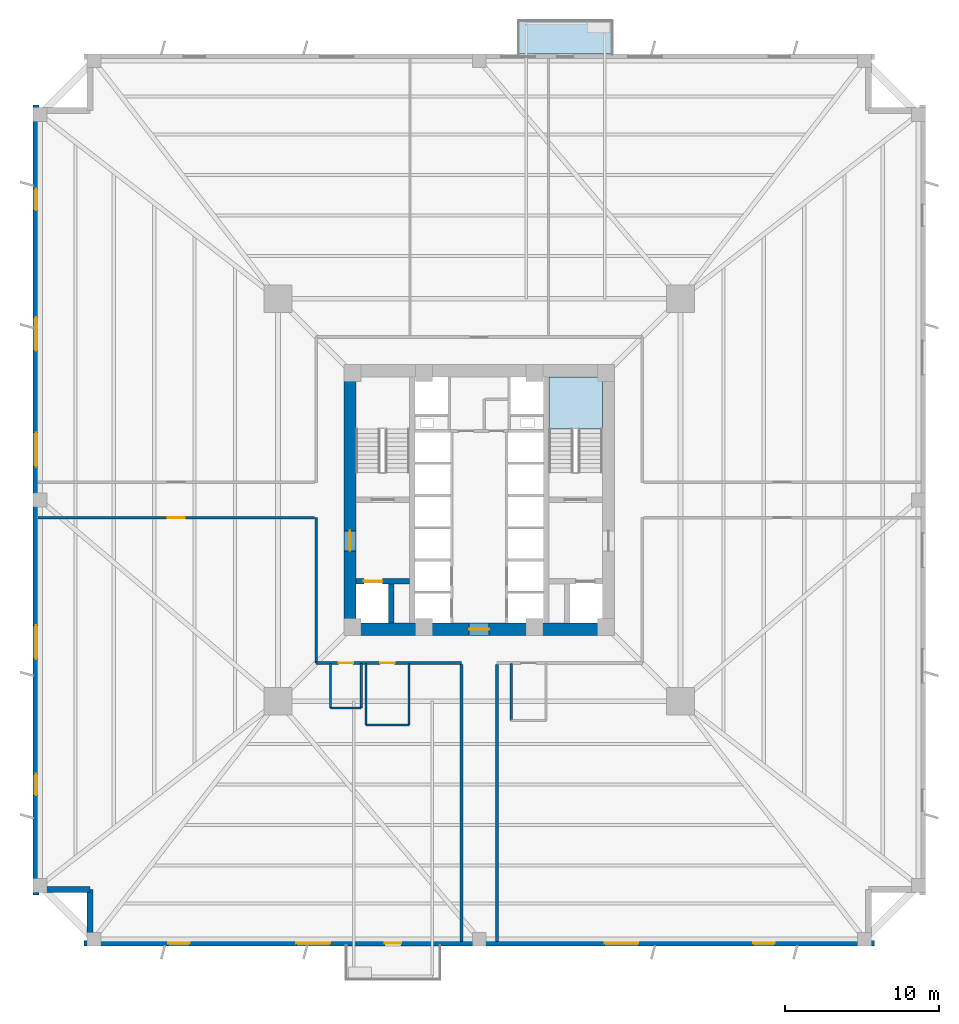
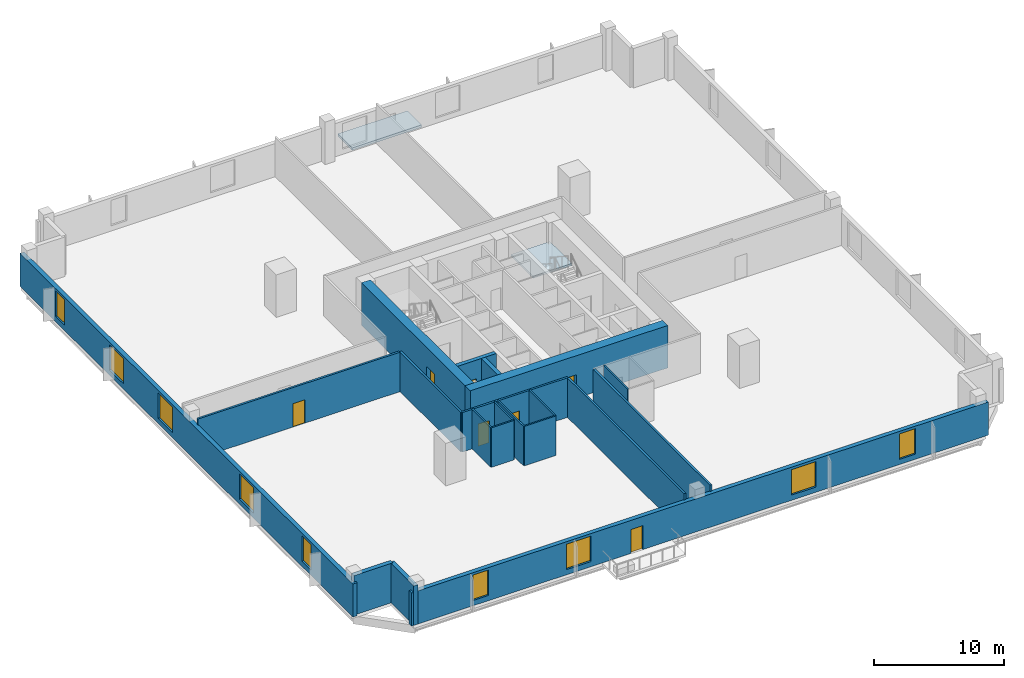
# One storey, part 2 of 8: 20 walls, 9 windows, 7 doors, 2 slabs, 16 openings, 1 element without a shape of its own.
"""IFC4 building model written with IfcOpenShell, lengths in metres."""

from ifc_helpers import new_model, si_unit, direction, frame, frame_2d, origin, place, context, subcontext, project, spatial, polyline, rectangle, outline, extrude, source, transform, mapped, material, layer, layer_set, type_object, element, fill, aggregate, save


model = new_model("IFC4")

# Units and contexts
model_context = context("Model", 3, precision=1e-05, world=origin(), true_north=direction((0.0, 1.0)))
body_context = subcontext(model_context, "Body", "Model", "MODEL_VIEW")
ifc_project = project(units=[si_unit("LENGTHUNIT", "METRE"), si_unit("AREAUNIT", "SQUARE_METRE"), si_unit("VOLUMEUNIT", "CUBIC_METRE"), si_unit("PLANEANGLEUNIT", "RADIAN"), si_unit("MASSUNIT", "GRAM", prefix="KILO"), si_unit("THERMODYNAMICTEMPERATUREUNIT", "KELVIN")], contexts=[model_context])

# Site, building, storey
site_placement = place(None, origin())
site = spatial("IfcSite", under=ifc_project, at=site_placement, CompositionType="ELEMENT")
building_placement = place(site_placement, origin())
building = spatial("IfcBuilding", under=site, at=building_placement, Name="Kosmvard Interchange Tower", CompositionType="ELEMENT")
storey_placement = place(building_placement, frame((0.0, 0.0, 30.0)))
storey = spatial("IfcBuildingStorey", under=building, at=storey_placement, Name="L06", CompositionType="ELEMENT", Elevation=30.0)

# Stair, slab
ifc_material_1 = material(Name="Concrete C50/60", Category="concrete")
stair_type = type_object("IfcStairType", Name="Dog-Leg Core Exit Stair H4000 C50/60", PredefinedType="HALF_TURN_STAIR", material=ifc_material_1)
stair_placement = place(storey_placement, origin())
stair = element("IfcStair", 1, at=stair_placement, inside=storey, type_object=stair_type, Name="L06 Protected Exit Stair ST-2", PredefinedType="HALF_TURN_STAIR")
ifc_layer_1 = layer(ifc_material_1, 0.199951171875, Name="Concrete C50/60")
ifc_layer_set_1 = layer_set([ifc_layer_1], Name="Concrete C50/60")
slab_type_1 = type_object("IfcSlabType", Name="Stair Half-Landing Slab 200 C50/60", PredefinedType="LANDING", material=ifc_layer_set_1)
slab_1_placement = place(storey_placement, frame((0.0, 0.0, 1.800048828125)))
slab_1 = element("IfcSlab", 2, at=slab_1_placement, type_object=slab_type_1, Name="ST-2 landing 1", PredefinedType="LANDING", context=body_context, shape_type="SweptSolid", body=[
    extrude(outline(polyline([(8.0, 4.60009765625), (8.0, 8.0), (4.5400390625, 8.0), (4.5400390625, 4.60009765625), (8.0, 4.60009765625)])), origin(), (0.0, 0.0, 1.0), 0.199951171875),
])
aggregate(stair, [slab_1])

# Slab
ifc_layer_2 = layer(ifc_material_1, 0.22998046875, Name="Concrete C50/60")
ifc_layer_set_2 = layer_set([ifc_layer_2], Name="Concrete C50/60")
slab_type_2 = type_object("IfcSlabType", Name="Tree-Planter Cantilever Balcony Slab 230 C50/60", PredefinedType="FLOOR", material=ifc_layer_set_2)
slab_2_placement = place(storey_placement, frame((0.0, 0.0, -0.22998046875)))
element("IfcSlab", 3, at=slab_2_placement, inside=storey, type_object=slab_type_2, Name="L06 Outdoor Terrace Balcony Slab BAL-L06-N", PredefinedType="FLOOR", context=body_context, shape_type="SweptSolid", body=[
    extrude(outline(polyline([(2.5, 29.0), (8.699951171875, 29.0), (8.699951171875, 31.199951171875), (2.5, 31.199951171875), (2.5, 29.0)])), origin(), (0.0, 0.0, 1.0), 0.22998046875),
])

# Wall, openings, doors
ifc_material_2 = material(Name="Fire-rated gypsum partition system")
ifc_layer_3 = layer(ifc_material_2, 0.179931640625, Name="Fire-rated gypsum partition system")
ifc_layer_set_3 = layer_set([ifc_layer_3], Name="Fire-rated gypsum partition system")
wall_type_1 = type_object("IfcWallType", Name="Corridor & Hotel Compartment Partition 180", PredefinedType="PARTITIONING", material=ifc_layer_set_3)
wall_1_placement = place(storey_placement, frame((-10.60009765625, -10.60009765625, 0.0), z_axis=(0.0, 0.0, 1.0), x_axis=(1.0, 0.0, 0.0)))
wall_1 = element("IfcWall", 4, at=wall_1_placement, inside=storey, type_object=wall_type_1, Name="L06 Corridor Wall CSW", PredefinedType="PARTITIONING", context=body_context, shape_type="SweptSolid", body=[
    extrude(rectangle(XDim=9.4501953125, YDim=0.179931640625, at=frame_2d((4.72509765625, 0.0))), origin(), (0.0, 0.0, 1.0), 3.719970703125),
])
opening_1_placement = place(wall_1_placement, frame((1.455078125, 0.0, 0.0)))
opening_1 = element("IfcOpeningElement", 5, at=opening_1_placement, cuts=wall_1, Name="Opening L06-D01", PredefinedType="OPENING", context=body_context, shape_type="SweptSolid", body=[
    extrude(rectangle(XDim=0.949951171875, YDim=2.10009765625, at=frame_2d((0.47509765625, 1.050048828125))), frame((0.0, 0.10009765625, 0.0), z_axis=(0.0, -1.0, 0.0), x_axis=(1.0, 0.0, 0.0)), (0.0, 0.0, 1.0), 0.199951171875),
])
opening_2_placement = place(wall_1_placement, frame((4.154052734375, 0.0, 0.0)))
opening_2 = element("IfcOpeningElement", 6, at=opening_2_placement, cuts=wall_1, Name="Opening L06-D03", PredefinedType="OPENING", context=body_context, shape_type="SweptSolid", body=[
    extrude(rectangle(XDim=0.949951171875, YDim=2.10009765625, at=frame_2d((0.47509765625, 1.050048828125))), frame((0.0, 0.10009765625, 0.0), z_axis=(0.0, -1.0, 0.0), x_axis=(1.0, 0.0, 0.0)), (0.0, 0.0, 1.0), 0.199951171875),
])
ifc_material_3 = material(Name="Laminated moisture-resistant timber", Category="wood")
door_type_1 = type_object("IfcDoorType", Name="Accessible Washroom Door 950x2100", OperationType="NOTDEFINED", PredefinedType="DOOR", material=ifc_material_3)
shared_shape_1 = source(origin(), body_context, "Body", "SweptSolid", [
    extrude(rectangle(XDim=0.949951171875, YDim=2.10009765625, at=frame_2d((0.47509765625, 1.050048828125))), frame((0.0, 0.02490234375, 0.0), z_axis=(0.0, -1.0, 0.0), x_axis=(1.0, 0.0, 0.0)), (0.0, 0.0, 1.0), 0.050048828125),
])
door_1_placement = place(opening_1_placement, frame((0.949951171875, 0.0, 0.0), z_axis=(0.0, 0.0, 1.0), x_axis=(-1.0, 0.0, 0.0)))
door_1 = element("IfcDoor", 7, at=door_1_placement, inside=storey, type_object=door_type_1, Name="L06 Accessible Toilet Door", OperationType="SINGLE_SWING_LEFT", OverallHeight=2.10009765625, OverallWidth=0.949951171875, PredefinedType="DOOR", context=body_context, shape_type="MappedRepresentation", body=[
    mapped(shared_shape_1, transform((0.0, 0.0, 0.0), scale=1.0)),
])
fill(opening_1, door_1)
door_2_placement = place(opening_2_placement, frame((0.949951171875, 0.0, 0.0), z_axis=(0.0, 0.0, 1.0), x_axis=(-1.0, 0.0, 0.0)))
door_2 = element("IfcDoor", 8, at=door_2_placement, inside=storey, type_object=door_type_1, Name="L06 Staff Catering Pantry Door", OperationType="SINGLE_SWING_LEFT", OverallHeight=2.10009765625, OverallWidth=0.949951171875, PredefinedType="DOOR", context=body_context, shape_type="MappedRepresentation", body=[
    mapped(shared_shape_1, transform((0.0, 0.0, 0.0), scale=1.0)),
])
fill(opening_2, door_2)

# Wall
wall_2_placement = place(storey_placement, frame((-10.60009765625, -10.60009765625, 0.0), z_axis=(0.0, 0.0, 1.0), x_axis=(0.0, 1.0, 0.0)))
element("IfcWall", 9, at=wall_2_placement, inside=storey, type_object=wall_type_1, Name="L06 Corridor Wall CWS", PredefinedType="PARTITIONING", context=body_context, shape_type="SweptSolid", body=[
    extrude(rectangle(XDim=9.4501953125, YDim=0.179931640625, at=frame_2d((4.72509765625, 0.0))), origin(), (0.0, 0.0, 1.0), 3.719970703125),
])

# Wall, opening, door
wall_3_placement = place(storey_placement, frame((-28.68505859375, -1.14990234375, 0.0), z_axis=(0.0, 0.0, 1.0), x_axis=(1.0, 0.0, 0.0)))
wall_3 = element("IfcWall", 10, at=wall_3_placement, inside=storey, type_object=wall_type_1, Name="L06 Corridor Wall SWS", PredefinedType="PARTITIONING", context=body_context, shape_type="SweptSolid", body=[
    extrude(rectangle(XDim=17.985107421875, YDim=0.179931640625, at=frame_2d((8.99267578125, 0.0))), origin(), (0.0, 0.0, 1.0), 3.719970703125),
])
opening_3_placement = place(wall_3_placement, frame((8.4423828125, 0.0, 0.0)))
opening_3 = element("IfcOpeningElement", 11, at=opening_3_placement, cuts=wall_3, Name="Opening L06-D08", PredefinedType="OPENING", context=body_context, shape_type="SweptSolid", body=[
    extrude(rectangle(XDim=1.10009765625, YDim=2.199951171875, at=frame_2d((0.550048828125, 1.10009765625))), frame((0.0, 0.10009765625, 0.0), z_axis=(0.0, -1.0, 0.0), x_axis=(1.0, 0.0, 0.0)), (0.0, 0.0, 1.0), 0.199951171875),
])
ifc_material_4 = material(Name="Engineered oak fire-rated timber", Category="wood")
door_type_2 = type_object("IfcDoorType", Name="Office Suite Entrance Door 1100x2200 FD30S", OperationType="NOTDEFINED", PredefinedType="DOOR", material=ifc_material_4)
shared_shape_2 = source(origin(), body_context, "Body", "SweptSolid", [
    extrude(rectangle(XDim=1.10009765625, YDim=2.199951171875, at=frame_2d((0.550048828125, 1.10009765625))), frame((0.0, 0.02490234375, 0.0), z_axis=(0.0, -1.0, 0.0), x_axis=(1.0, 0.0, 0.0)), (0.0, 0.0, 1.0), 0.050048828125),
])
door_3_placement = place(opening_3_placement, frame((1.10009765625, 0.0, 0.0), z_axis=(0.0, 0.0, 1.0), x_axis=(-1.0, 0.0, 0.0)))
door_3 = element("IfcDoor", 12, at=door_3_placement, inside=storey, type_object=door_type_2, Name="L06 South-West Open Plan Workplace Door", OperationType="SINGLE_SWING_RIGHT", OverallHeight=2.199951171875, OverallWidth=1.10009765625, PredefinedType="DOOR", context=body_context, shape_type="MappedRepresentation", body=[
    mapped(shared_shape_2, transform((0.0, 0.0, 0.0), scale=1.0)),
])
fill(opening_3, door_3)

# Walls
for number, where, z_axis, x_axis, name in (
    (13, (-1.14990234375, -28.68505859375, 0.0), (0.0, 0.0, 1.0), (0.0, 1.0, 0.0), "L06 Corridor Wall SSW"),
    (14, (1.14990234375, -28.68505859375, 0.0), (0.0, 0.0, 1.0), (0.0, 1.0, 0.0), "L06 Corridor Wall SSE"),
):
    element("IfcWall", number, at=place(storey_placement, frame(where, z_axis=z_axis, x_axis=x_axis)), inside=storey, type_object=wall_type_1, Name=name, PredefinedType="PARTITIONING", context=body_context, shape_type="SweptSolid", body=[
        extrude(rectangle(XDim=17.985107421875, YDim=0.179931640625, at=frame_2d((8.99267578125, 0.0))), origin(), (0.0, 0.0, 1.0), 3.719970703125),
    ])

# Wall, opening, door
ifc_material_5 = material(Name="Concrete C80/95", Category="concrete")
ifc_layer_4 = layer(ifc_material_5, 0.800048828125, Name="Concrete C80/95")
ifc_layer_set_4 = layer_set([ifc_layer_4], Name="Concrete C80/95")
wall_type_2 = type_object("IfcWallType", Name="Lower Core Shear Wall 800 C80/95", PredefinedType="SHEAR", material=ifc_layer_set_4)
wall_4_placement = place(storey_placement, frame((-8.800048828125, -8.39990234375, 0.0), z_axis=(0.0, 0.0, 1.0), x_axis=(1.0, 0.0, 0.0)))
wall_4 = element("IfcWall", 15, at=wall_4_placement, inside=storey, type_object=wall_type_2, Name="L06 Core Shear Wall CW-S", PredefinedType="SHEAR", context=body_context, shape_type="SweptSolid", body=[
    extrude(rectangle(XDim=17.60009765625, YDim=0.800048828125, at=frame_2d((8.800048828125, 0.0))), origin(), (0.0, 0.0, 1.0), 4.0),
])
opening_4_placement = place(wall_4_placement, frame((8.14990234375, 0.0, 0.0)))
opening_4 = element("IfcOpeningElement", 16, at=opening_4_placement, cuts=wall_4, Name="Opening L06-LD0", PredefinedType="OPENING", context=body_context, shape_type="SweptSolid", body=[
    extrude(rectangle(XDim=1.300048828125, YDim=2.199951171875, at=frame_2d((0.64990234375, 1.10009765625))), frame((0.0, 0.41015625, 0.0), z_axis=(0.0, -1.0, 0.0), x_axis=(1.0, 0.0, 0.0)), (0.0, 0.0, 1.0), 0.820068359375),
])
ifc_material_6 = material(Name="Painted fire-rated steel leaf", Category="steel")
door_type_3 = type_object("IfcDoorType", Name="Firefighting Lobby Door 1300x2200 EI60", OperationType="NOTDEFINED", PredefinedType="DOOR", material=ifc_material_6)
shared_shape_3 = source(origin(), body_context, "Body", "SweptSolid", [
    extrude(rectangle(XDim=1.300048828125, YDim=2.199951171875, at=frame_2d((0.64990234375, 1.10009765625))), frame((0.0, 0.02490234375, 0.0), z_axis=(0.0, -1.0, 0.0), x_axis=(1.0, 0.0, 0.0)), (0.0, 0.0, 1.0), 0.050048828125),
])
door_4_placement = place(opening_4_placement, frame((1.300048828125, 0.0, 0.0), z_axis=(0.0, 0.0, 1.0), x_axis=(-1.0, 0.0, 0.0)))
door_4 = element("IfcDoor", 17, at=door_4_placement, inside=storey, type_object=door_type_3, Name="L06 Passenger Lift Lobby South Door", OperationType="SINGLE_SWING_RIGHT", OverallHeight=2.199951171875, OverallWidth=1.300048828125, PredefinedType="DOOR", context=body_context, shape_type="MappedRepresentation", body=[
    mapped(shared_shape_3, transform((0.0, 0.0, 0.0), scale=1.0)),
])
fill(opening_4, door_4)

wall_5_placement = place(storey_placement, frame((-8.39990234375, -8.0, 0.0), z_axis=(0.0, 0.0, 1.0), x_axis=(0.0, 1.0, 0.0)))
wall_5 = element("IfcWall", 18, at=wall_5_placement, inside=storey, type_object=wall_type_2, Name="L06 Core Shear Wall CW-W", PredefinedType="SHEAR", context=body_context, shape_type="SweptSolid", body=[
    extrude(rectangle(XDim=16.0, YDim=0.800048828125, at=frame_2d((8.0, 0.0))), origin(), (0.0, 0.0, 1.0), 4.0),
])
opening_5_placement = place(wall_5_placement, frame((4.68994140625, 0.0, 0.0)))
opening_5 = element("IfcOpeningElement", 19, at=opening_5_placement, cuts=wall_5, Name="Opening L06-FD1", PredefinedType="OPENING", context=body_context, shape_type="SweptSolid", body=[
    extrude(rectangle(XDim=1.300048828125, YDim=2.199951171875, at=frame_2d((0.64990234375, 1.10009765625))), frame((0.0, 0.41015625, 0.0), z_axis=(0.0, -1.0, 0.0), x_axis=(1.0, 0.0, 0.0)), (0.0, 0.0, 1.0), 0.820068359375),
])
door_5_placement = place(opening_5_placement, frame((1.300048828125, 0.0, 0.0), z_axis=(0.0, 0.0, 1.0), x_axis=(-1.0, 0.0, 0.0)))
door_5 = element("IfcDoor", 20, at=door_5_placement, inside=storey, type_object=door_type_3, Name="L06 Firefighting Lobby West Door", OperationType="SINGLE_SWING_LEFT", OverallHeight=2.199951171875, OverallWidth=1.300048828125, PredefinedType="DOOR", context=body_context, shape_type="MappedRepresentation", body=[
    mapped(shared_shape_3, transform((0.0, 0.0, 0.0), scale=1.0)),
])
fill(opening_5, door_5)

# Wall, openings, door, windows
ifc_material_7 = material(Name="Precast concrete C45/55", Category="concrete")
ifc_layer_5 = layer(ifc_material_7, 0.3798828125, Name="Precast concrete C45/55")
ifc_layer_set_5 = layer_set([ifc_layer_5], Name="Precast concrete C45/55")
wall_type_3 = type_object("IfcWallType", Name="Lower Tower Precast Pier Wall 380 C45/55", PredefinedType="STANDARD", material=ifc_layer_set_5)
wall_6_placement = place(storey_placement, frame((-25.68994140625, -28.81005859375, 0.0), z_axis=(0.0, 0.0, 1.0), x_axis=(1.0, 0.0, 0.0)))
wall_6 = element("IfcWall", 21, at=wall_6_placement, inside=storey, type_object=wall_type_3, Name="L06 Precast Facade Wall F-S", PredefinedType="STANDARD", context=body_context, shape_type="SweptSolid", body=[
    extrude(rectangle(XDim=51.3798828125, YDim=0.3798828125, at=frame_2d((25.68994140625, 0.0))), origin(), (0.0, 0.0, 1.0), 3.1201171875),
])
opening_6_placement = place(wall_6_placement, frame((19.56494140625, 0.0, 0.0)))
opening_6 = element("IfcOpeningElement", 22, at=opening_6_placement, cuts=wall_6, Name="Opening L06-BDS", PredefinedType="OPENING", context=body_context, shape_type="SweptSolid", body=[
    extrude(rectangle(XDim=1.050048828125, YDim=2.25, at=frame_2d((0.52490234375, 1.125))), frame((0.0, 0.199951171875, 0.0), z_axis=(0.0, -1.0, 0.0), x_axis=(1.0, 0.0, 0.0)), (0.0, 0.0, 1.0), 0.39990234375),
])
opening_7_placement = place(wall_6_placement, frame((5.465576171875, 0.0, 0.489990234375)))
opening_7 = element("IfcOpeningElement", 23, at=opening_7_placement, cuts=wall_6, Name="Opening L06-W01", PredefinedType="OPENING", context=body_context, shape_type="SweptSolid", body=[
    extrude(rectangle(XDim=1.39990234375, YDim=2.39990234375, at=frame_2d((0.699951171875, 1.199951171875))), frame((0.0, 0.199951171875, 0.0), z_axis=(0.0, -1.0, 0.0), x_axis=(1.0, 0.0, 0.0)), (0.0, 0.0, 1.0), 0.39990234375),
])
opening_8_placement = place(wall_6_placement, frame((13.80029296875, 0.0, 0.489990234375)))
opening_8 = element("IfcOpeningElement", 24, at=opening_8_placement, cuts=wall_6, Name="Opening L06-W02", PredefinedType="OPENING", context=body_context, shape_type="SweptSolid", body=[
    extrude(rectangle(XDim=2.199951171875, YDim=2.39990234375, at=frame_2d((1.10009765625, 1.199951171875))), frame((0.0, 0.199951171875, 0.0), z_axis=(0.0, -1.0, 0.0), x_axis=(1.0, 0.0, 0.0)), (0.0, 0.0, 1.0), 0.39990234375),
])
opening_9_placement = place(wall_6_placement, frame((33.83837890625, 0.0, 0.489990234375)))
opening_9 = element("IfcOpeningElement", 25, at=opening_9_placement, cuts=wall_6, Name="Opening L06-W03", PredefinedType="OPENING", context=body_context, shape_type="SweptSolid", body=[
    extrude(rectangle(XDim=2.199951171875, YDim=2.39990234375, at=frame_2d((1.10009765625, 1.199951171875))), frame((0.0, 0.199951171875, 0.0), z_axis=(0.0, -1.0, 0.0), x_axis=(1.0, 0.0, 0.0)), (0.0, 0.0, 1.0), 0.39990234375),
])
opening_10_placement = place(wall_6_placement, frame((43.48681640625, 0.0, 0.489990234375)))
opening_10 = element("IfcOpeningElement", 26, at=opening_10_placement, cuts=wall_6, Name="Opening L06-W04", PredefinedType="OPENING", context=body_context, shape_type="SweptSolid", body=[
    extrude(rectangle(XDim=1.39990234375, YDim=2.39990234375, at=frame_2d((0.699951171875, 1.199951171875))), frame((0.0, 0.199951171875, 0.0), z_axis=(0.0, -1.0, 0.0), x_axis=(1.0, 0.0, 0.0)), (0.0, 0.0, 1.0), 0.39990234375),
])
ifc_material_8 = material(Name="Anodised aluminium and safety glass", Category="aluminium")
door_type_4 = type_object("IfcDoorType", Name="Tree-Balcony Glazed Door 1050x2250", OperationType="NOTDEFINED", PredefinedType="DOOR", material=ifc_material_8)
shared_shape_4 = source(origin(), body_context, "Body", "SweptSolid", [
    extrude(rectangle(XDim=1.050048828125, YDim=2.25, at=frame_2d((0.52490234375, 1.125))), frame((0.0, 0.02490234375, 0.0), z_axis=(0.0, -1.0, 0.0), x_axis=(1.0, 0.0, 0.0)), (0.0, 0.0, 1.0), 0.050048828125),
])
door_6_placement = place(opening_6_placement, origin())
door_6 = element("IfcDoor", 27, at=door_6_placement, inside=storey, type_object=door_type_4, Name="L06 Tree-Balcony Door BAL-L06-S", OperationType="SINGLE_SWING_LEFT", OverallHeight=2.25, OverallWidth=1.050048828125, PredefinedType="DOOR", context=body_context, shape_type="MappedRepresentation", body=[
    mapped(shared_shape_4, transform((0.0, 0.0, 0.0), scale=1.0)),
])
fill(opening_6, door_6)
ifc_material_9 = material(Name="Low-E solar-control double glazing", Category="glass")
window_type_1 = type_object("IfcWindowType", Name="Notched Corner Feature Window 1400x2400", PartitioningType="SINGLE_PANEL", PredefinedType="WINDOW", material=ifc_material_9)
shared_shape_5 = source(origin(), body_context, "Body", "SweptSolid", [
    extrude(rectangle(XDim=1.39990234375, YDim=2.39990234375, at=frame_2d((0.699951171875, 1.199951171875))), frame((0.0, 0.030029296875, 0.0), z_axis=(0.0, -1.0, 0.0), x_axis=(1.0, 0.0, 0.0)), (0.0, 0.0, 1.0), 0.06005859375),
])
window_1_placement = place(opening_7_placement, origin())
window_1 = element("IfcWindow", 28, at=window_1_placement, inside=storey, type_object=window_type_1, Name="L06 Facade Punched Window 01", OverallHeight=2.39990234375, OverallWidth=1.39990234375, PartitioningType="SINGLE_PANEL", PredefinedType="WINDOW", context=body_context, shape_type="MappedRepresentation", body=[
    mapped(shared_shape_5, transform((0.0, 0.0, 0.0), scale=1.0)),
])
fill(opening_7, window_1)
window_2_placement = place(opening_10_placement, origin())
window_2 = element("IfcWindow", 29, at=window_2_placement, inside=storey, type_object=window_type_1, Name="L06 Facade Punched Window 04", OverallHeight=2.39990234375, OverallWidth=1.39990234375, PartitioningType="SINGLE_PANEL", PredefinedType="WINDOW", context=body_context, shape_type="MappedRepresentation", body=[
    mapped(shared_shape_5, transform((0.0, 0.0, 0.0), scale=1.0)),
])
fill(opening_10, window_2)
window_type_2 = type_object("IfcWindowType", Name="Zone 1 Office Punched Window 2200x2400", PartitioningType="SINGLE_PANEL", PredefinedType="WINDOW", material=ifc_material_9)
shared_shape_6 = source(origin(), body_context, "Body", "SweptSolid", [
    extrude(rectangle(XDim=2.199951171875, YDim=2.39990234375, at=frame_2d((1.10009765625, 1.199951171875))), frame((0.0, 0.030029296875, 0.0), z_axis=(0.0, -1.0, 0.0), x_axis=(1.0, 0.0, 0.0)), (0.0, 0.0, 1.0), 0.06005859375),
])
window_3_placement = place(opening_8_placement, origin())
window_3 = element("IfcWindow", 30, at=window_3_placement, inside=storey, type_object=window_type_2, Name="L06 Facade Punched Window 02", OverallHeight=2.39990234375, OverallWidth=2.199951171875, PartitioningType="SINGLE_PANEL", PredefinedType="WINDOW", context=body_context, shape_type="MappedRepresentation", body=[
    mapped(shared_shape_6, transform((0.0, 0.0, 0.0), scale=1.0)),
])
fill(opening_8, window_3)
window_4_placement = place(opening_9_placement, origin())
window_4 = element("IfcWindow", 31, at=window_4_placement, inside=storey, type_object=window_type_2, Name="L06 Facade Punched Window 03", OverallHeight=2.39990234375, OverallWidth=2.199951171875, PartitioningType="SINGLE_PANEL", PredefinedType="WINDOW", context=body_context, shape_type="MappedRepresentation", body=[
    mapped(shared_shape_6, transform((0.0, 0.0, 0.0), scale=1.0)),
])
fill(opening_9, window_4)

# Wall, openings, windows
wall_7_placement = place(storey_placement, frame((-28.81005859375, 25.68994140625, 0.0), z_axis=(0.0, 0.0, 1.0), x_axis=(0.0, -1.0, 0.0)))
wall_7 = element("IfcWall", 32, at=wall_7_placement, inside=storey, type_object=wall_type_3, Name="L06 Precast Facade Wall F-W", PredefinedType="STANDARD", context=body_context, shape_type="SweptSolid", body=[
    extrude(rectangle(XDim=51.3798828125, YDim=0.3798828125, at=frame_2d((25.68994140625, 0.0))), origin(), (0.0, 0.0, 1.0), 3.1201171875),
])
opening_11_placement = place(wall_7_placement, frame((5.465576171875, 0.0, 0.489990234375)))
opening_11 = element("IfcOpeningElement", 33, at=opening_11_placement, cuts=wall_7, Name="Opening L06-W15", PredefinedType="OPENING", context=body_context, shape_type="SweptSolid", body=[
    extrude(rectangle(XDim=1.39990234375, YDim=2.39990234375, at=frame_2d((0.699951171875, 1.199951171875))), frame((0.0, 0.199951171875, 0.0), z_axis=(0.0, -1.0, 0.0), x_axis=(1.0, 0.0, 0.0)), (0.0, 0.0, 1.0), 0.39990234375),
])
opening_12_placement = place(wall_7_placement, frame((13.80029296875, 0.0, 0.489990234375)))
opening_12 = element("IfcOpeningElement", 34, at=opening_12_placement, cuts=wall_7, Name="Opening L06-W16", PredefinedType="OPENING", context=body_context, shape_type="SweptSolid", body=[
    extrude(rectangle(XDim=2.199951171875, YDim=2.39990234375, at=frame_2d((1.10009765625, 1.199951171875))), frame((0.0, 0.199951171875, 0.0), z_axis=(0.0, -1.0, 0.0), x_axis=(1.0, 0.0, 0.0)), (0.0, 0.0, 1.0), 0.39990234375),
])
opening_13_placement = place(wall_7_placement, frame((21.3125, 0.0, 0.489990234375)))
opening_13 = element("IfcOpeningElement", 35, at=opening_13_placement, cuts=wall_7, Name="Opening L06-W17", PredefinedType="OPENING", context=body_context, shape_type="SweptSolid", body=[
    extrude(rectangle(XDim=2.199951171875, YDim=2.39990234375, at=frame_2d((1.10009765625, 1.199951171875))), frame((0.0, 0.199951171875, 0.0), z_axis=(0.0, -1.0, 0.0), x_axis=(1.0, 0.0, 0.0)), (0.0, 0.0, 1.0), 0.39990234375),
])
opening_14_placement = place(wall_7_placement, frame((33.83837890625, 0.0, 0.489990234375)))
opening_14 = element("IfcOpeningElement", 36, at=opening_14_placement, cuts=wall_7, Name="Opening L06-W18", PredefinedType="OPENING", context=body_context, shape_type="SweptSolid", body=[
    extrude(rectangle(XDim=2.199951171875, YDim=2.39990234375, at=frame_2d((1.10009765625, 1.199951171875))), frame((0.0, 0.199951171875, 0.0), z_axis=(0.0, -1.0, 0.0), x_axis=(1.0, 0.0, 0.0)), (0.0, 0.0, 1.0), 0.39990234375),
])
opening_15_placement = place(wall_7_placement, frame((43.48681640625, 0.0, 0.489990234375)))
opening_15 = element("IfcOpeningElement", 37, at=opening_15_placement, cuts=wall_7, Name="Opening L06-W19", PredefinedType="OPENING", context=body_context, shape_type="SweptSolid", body=[
    extrude(rectangle(XDim=1.39990234375, YDim=2.39990234375, at=frame_2d((0.699951171875, 1.199951171875))), frame((0.0, 0.199951171875, 0.0), z_axis=(0.0, -1.0, 0.0), x_axis=(1.0, 0.0, 0.0)), (0.0, 0.0, 1.0), 0.39990234375),
])
window_5_placement = place(opening_11_placement, origin())
window_5 = element("IfcWindow", 38, at=window_5_placement, inside=storey, type_object=window_type_1, Name="L06 Facade Punched Window 15", OverallHeight=2.39990234375, OverallWidth=1.39990234375, PartitioningType="SINGLE_PANEL", PredefinedType="WINDOW", context=body_context, shape_type="MappedRepresentation", body=[
    mapped(shared_shape_5, transform((0.0, 0.0, 0.0), scale=1.0)),
])
fill(opening_11, window_5)
window_6_placement = place(opening_15_placement, origin())
window_6 = element("IfcWindow", 39, at=window_6_placement, inside=storey, type_object=window_type_1, Name="L06 Facade Punched Window 19", OverallHeight=2.39990234375, OverallWidth=1.39990234375, PartitioningType="SINGLE_PANEL", PredefinedType="WINDOW", context=body_context, shape_type="MappedRepresentation", body=[
    mapped(shared_shape_5, transform((0.0, 0.0, 0.0), scale=1.0)),
])
fill(opening_15, window_6)
window_7_placement = place(opening_12_placement, origin())
window_7 = element("IfcWindow", 40, at=window_7_placement, inside=storey, type_object=window_type_2, Name="L06 Facade Punched Window 16", OverallHeight=2.39990234375, OverallWidth=2.199951171875, PartitioningType="SINGLE_PANEL", PredefinedType="WINDOW", context=body_context, shape_type="MappedRepresentation", body=[
    mapped(shared_shape_6, transform((0.0, 0.0, 0.0), scale=1.0)),
])
fill(opening_12, window_7)
window_8_placement = place(opening_13_placement, origin())
window_8 = element("IfcWindow", 41, at=window_8_placement, inside=storey, type_object=window_type_2, Name="L06 Facade Punched Window 17", OverallHeight=2.39990234375, OverallWidth=2.199951171875, PartitioningType="SINGLE_PANEL", PredefinedType="WINDOW", context=body_context, shape_type="MappedRepresentation", body=[
    mapped(shared_shape_6, transform((0.0, 0.0, 0.0), scale=1.0)),
])
fill(opening_13, window_8)
window_9_placement = place(opening_14_placement, origin())
window_9 = element("IfcWindow", 42, at=window_9_placement, inside=storey, type_object=window_type_2, Name="L06 Facade Punched Window 18", OverallHeight=2.39990234375, OverallWidth=2.199951171875, PartitioningType="SINGLE_PANEL", PredefinedType="WINDOW", context=body_context, shape_type="MappedRepresentation", body=[
    mapped(shared_shape_6, transform((0.0, 0.0, 0.0), scale=1.0)),
])
fill(opening_14, window_9)

# Walls
wall_8_placement = place(storey_placement, frame((-28.81005859375, -25.31005859375, 0.0), z_axis=(0.0, 0.0, 1.0), x_axis=(1.0, 0.0, 0.0)))
element("IfcWall", 43, at=wall_8_placement, inside=storey, type_object=wall_type_3, Name="L06 Precast Facade Wall N-SW1", PredefinedType="STANDARD", context=body_context, shape_type="SweptSolid", body=[
    extrude(rectangle(XDim=3.5, YDim=0.3798828125, at=frame_2d((1.75, 0.0))), origin(), (0.0, 0.0, 1.0), 3.719970703125),
])
wall_9_placement = place(storey_placement, frame((-25.31005859375, -25.31005859375, 0.0), z_axis=(0.0, 0.0, 1.0), x_axis=(0.0, -1.0, 0.0)))
element("IfcWall", 44, at=wall_9_placement, inside=storey, type_object=wall_type_3, Name="L06 Precast Facade Wall N-SW2", PredefinedType="STANDARD", context=body_context, shape_type="SweptSolid", body=[
    extrude(rectangle(XDim=3.68994140625, YDim=0.3798828125, at=frame_2d((1.844970703125, 0.0))), origin(), (0.0, 0.0, 1.0), 3.719970703125),
])

# Wall, opening, door
ifc_material_10 = material(Name="Concrete C60/75", Category="concrete")
ifc_layer_6 = layer(ifc_material_10, 0.360107421875, Name="Concrete C60/75")
ifc_layer_set_6 = layer_set([ifc_layer_6], Name="Concrete C60/75")
wall_type_4 = type_object("IfcWallType", Name="Stair & Lift Shaft Shear Wall 360 C60/75", PredefinedType="SHEAR", material=ifc_layer_set_6)
wall_10_placement = place(storey_placement, frame((-8.0, -5.280029296875, 0.0), z_axis=(0.0, 0.0, 1.0), x_axis=(1.0, 0.0, 0.0)))
wall_10 = element("IfcWall", 45, at=wall_10_placement, inside=storey, type_object=wall_type_4, Name="L06 Shaft Shear Wall SW-FF1", PredefinedType="SHEAR", context=body_context, shape_type="SweptSolid", body=[
    extrude(rectangle(XDim=3.4599609375, YDim=0.360107421875, at=frame_2d((1.72998046875, 0.0))), origin(), (0.0, 0.0, 1.0), 4.0),
])
opening_16_placement = place(wall_10_placement, frame((0.5, 0.0, 0.0)))
opening_16 = element("IfcOpeningElement", 46, at=opening_16_placement, cuts=wall_10, Name="Opening LD-FF-1-L06", PredefinedType="OPENING", context=body_context, shape_type="SweptSolid", body=[
    extrude(rectangle(XDim=1.199951171875, YDim=2.25, at=frame_2d((0.60009765625, 1.125))), frame((0.0, 0.18994140625, 0.0), z_axis=(0.0, -1.0, 0.0), x_axis=(1.0, 0.0, 0.0)), (0.0, 0.0, 1.0), 0.380126953125),
])
ifc_material_11 = material(Name="Brushed stainless steel sliding leaf", Category="steel")
door_type_5 = type_object("IfcDoorType", Name="Firefighting Lift Sliding Landing Door 1200x2250 EI120", OperationType="DOUBLE_DOOR_SLIDING", PredefinedType="DOOR", material=ifc_material_11)
shared_shape_7 = source(origin(), body_context, "Body", "SweptSolid", [
    extrude(rectangle(XDim=1.199951171875, YDim=2.25, at=frame_2d((0.60009765625, 1.125))), frame((0.0, 0.02490234375, 0.0), z_axis=(0.0, -1.0, 0.0), x_axis=(1.0, 0.0, 0.0)), (0.0, 0.0, 1.0), 0.050048828125),
])
door_7_placement = place(opening_16_placement, origin())
door_7 = element("IfcDoor", 47, at=door_7_placement, inside=storey, type_object=door_type_5, Name="Lift FF-1 Landing Door L06", OperationType="DOUBLE_DOOR_SLIDING", OverallHeight=2.25, OverallWidth=1.199951171875, PredefinedType="DOOR", context=body_context, shape_type="MappedRepresentation", body=[
    mapped(shared_shape_7, transform((0.0, 0.0, 0.0), scale=1.0)),
])
fill(opening_16, door_7)

# Walls
wall_11_placement = place(storey_placement, frame((-5.7099609375, -8.0, 0.0), z_axis=(0.0, 0.0, 1.0), x_axis=(0.0, 1.0, 0.0)))
element("IfcWall", 48, at=wall_11_placement, inside=storey, type_object=wall_type_4, Name="L06 Shaft Shear Wall SW-SM1", PredefinedType="SHEAR", context=body_context, shape_type="SweptSolid", body=[
    extrude(rectangle(XDim=2.5400390625, YDim=0.360107421875, at=frame_2d((1.27001953125, 0.0))), origin(), (0.0, 0.0, 1.0), 4.0),
])
ifc_material_12 = material(Name="Moisture-resistant gypsum partition")
ifc_layer_7 = layer(ifc_material_12, 0.135009765625, Name="Moisture-resistant gypsum partition")
ifc_layer_set_7 = layer_set([ifc_layer_7], Name="Moisture-resistant gypsum partition")
wall_type_5 = type_object("IfcWallType", Name="Wet Room Moisture-Resistant Partition 135", PredefinedType="PARTITIONING", material=ifc_layer_set_7)
wall_12_placement = place(storey_placement, frame((-9.669921875, -13.52001953125, 0.0), z_axis=(0.0, 0.0, 1.0), x_axis=(1.0, 0.0, 0.0)))
element("IfcWall", 49, at=wall_12_placement, inside=storey, type_object=wall_type_5, Name="L06 Washroom Partition AWC1-S", PredefinedType="PARTITIONING", context=body_context, shape_type="SweptSolid", body=[
    extrude(rectangle(XDim=2.0, YDim=0.135009765625, at=frame_2d((1.0, 0.0))), origin(), (0.0, 0.0, 1.0), 3.719970703125),
])
for number, where, z_axis, x_axis, name in (
    (50, (-7.669921875, -13.52001953125, 0.0), (0.0, 0.0, 1.0), (0.0, 1.0, 0.0), "L06 Washroom Partition AWC1-E"),
    (51, (-9.669921875, -13.52001953125, 0.0), (0.0, 0.0, 1.0), (0.0, 1.0, 0.0), "L06 Washroom Partition AWC1-W"),
):
    element("IfcWall", number, at=place(storey_placement, frame(where, z_axis=z_axis, x_axis=x_axis)), inside=storey, type_object=wall_type_5, Name=name, PredefinedType="PARTITIONING", context=body_context, shape_type="SweptSolid", body=[
        extrude(rectangle(XDim=2.89990234375, YDim=0.135009765625, at=frame_2d((1.449951171875, 0.0))), origin(), (0.0, 0.0, 1.0), 3.719970703125),
    ])
wall_13_placement = place(storey_placement, frame((2.080078125, -14.320068359375, 0.0), z_axis=(0.0, 0.0, 1.0), x_axis=(0.0, 1.0, 0.0)))
element("IfcWall", 52, at=wall_13_placement, inside=storey, type_object=wall_type_5, Name="L06 Washroom Partition WC1-W", PredefinedType="PARTITIONING", context=body_context, shape_type="SweptSolid", body=[
    extrude(rectangle(XDim=3.699951171875, YDim=0.135009765625, at=frame_2d((1.85009765625, 0.0))), origin(), (0.0, 0.0, 1.0), 3.719970703125),
])
wall_14_placement = place(storey_placement, frame((-7.370849609375, -14.6201171875, 0.0), z_axis=(0.0, 0.0, 1.0), x_axis=(1.0, 0.0, 0.0)))
element("IfcWall", 53, at=wall_14_placement, inside=storey, type_object=wall_type_5, Name="L06 Washroom Partition PNT1-S", PredefinedType="PARTITIONING", context=body_context, shape_type="SweptSolid", body=[
    extrude(rectangle(XDim=2.800048828125, YDim=0.135009765625, at=frame_2d((1.39990234375, 0.0))), origin(), (0.0, 0.0, 1.0), 3.719970703125),
])
for number, where, z_axis, x_axis, name in (
    (54, (-4.57080078125, -14.6201171875, 0.0), (0.0, 0.0, 1.0), (0.0, 1.0, 0.0), "L06 Washroom Partition PNT1-E"),
    (55, (-7.370849609375, -14.6201171875, 0.0), (0.0, 0.0, 1.0), (0.0, 1.0, 0.0), "L06 Washroom Partition PNT1-W"),
):
    element("IfcWall", number, at=place(storey_placement, frame(where, z_axis=z_axis, x_axis=x_axis)), inside=storey, type_object=wall_type_5, Name=name, PredefinedType="PARTITIONING", context=body_context, shape_type="SweptSolid", body=[
        extrude(rectangle(XDim=4.0, YDim=0.135009765625, at=frame_2d((2.0, 0.0))), origin(), (0.0, 0.0, 1.0), 3.719970703125),
    ])

save(model, "model.ifc")
